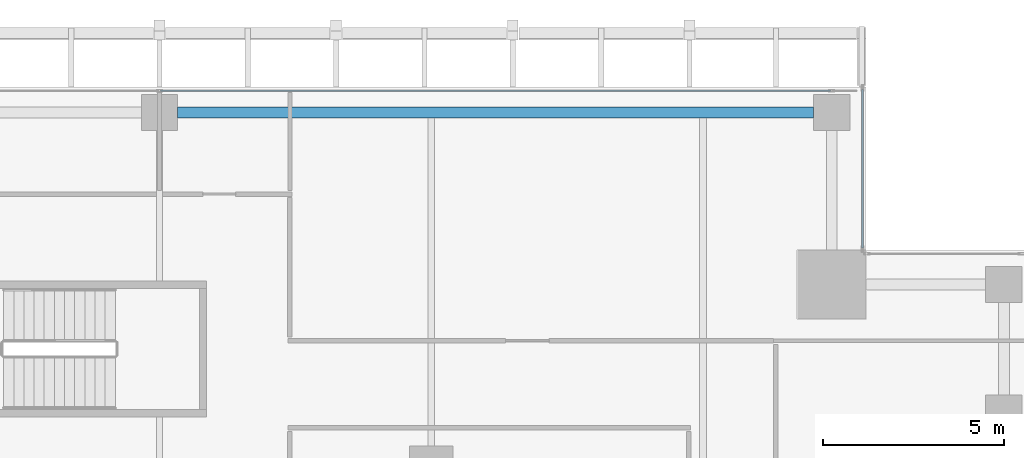
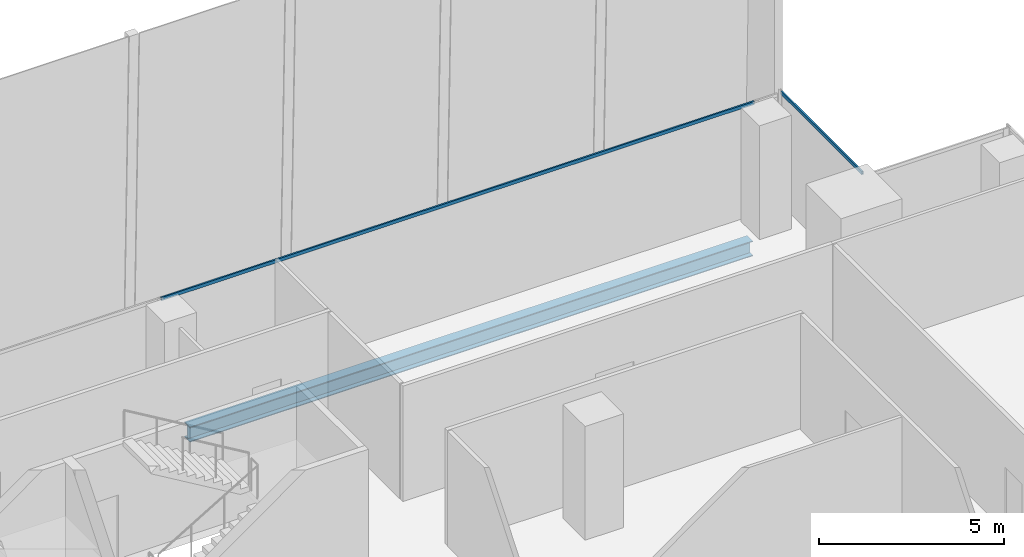
# One storey, part 20 of 35: 2 members, 1 beam, 2 elements without a shape of their own.
"""IFC4 building model written with IfcOpenShell, lengths in metres."""

from ifc_helpers import new_model, si_unit, direction, frame, origin, origin_2d, place, context, subcontext, project, spatial, hollow_rectangle, i_section, extrude, source, transform, mapped, material, material_profile, profile_set, type_object, element, aggregate, save


model = new_model("IFC4")

# Units and contexts
model_context = context("Model", 3, precision=1e-05, world=origin(), true_north=direction((0.0, 1.0)))
body_context = subcontext(model_context, "Body", "Model", "MODEL_VIEW")
ifc_project = project(units=[si_unit("LENGTHUNIT", "METRE"), si_unit("AREAUNIT", "SQUARE_METRE"), si_unit("VOLUMEUNIT", "CUBIC_METRE"), si_unit("PLANEANGLEUNIT", "RADIAN"), si_unit("MASSUNIT", "GRAM", prefix="KILO")], contexts=[model_context])

# Site, building, storey
site_placement = place(None, origin())
site = spatial("IfcSite", under=ifc_project, at=site_placement, CompositionType="ELEMENT")
building_placement = place(site_placement, origin())
building = spatial("IfcBuilding", under=site, at=building_placement, Name="Khomas Fold Tower", CompositionType="ELEMENT")
storey_placement = place(building_placement, frame((0.0, 0.0, 200.699951171875)))
storey = spatial("IfcBuildingStorey", under=building, at=storey_placement, Name="L44", CompositionType="ELEMENT", Elevation=200.699951171875)

# Beam
ifc_material_1 = material(Name="Steel S355", Category="steel")
ifc_material_profile_1 = material_profile(ifc_material_1, i_section(OverallWidth=0.300048828125, OverallDepth=0.5, WebThickness=0.014404296875, FlangeThickness=0.028076171875, at=origin_2d()), Name="HE 500 B")
ifc_profile_set_1 = profile_set([ifc_material_profile_1], Name="Steel S355")
beam_type = type_object("IfcBeamType", Name="HE 500 B spandrel SB3", PredefinedType="SPANDREL", material=ifc_profile_set_1)
shared_shape_1 = source(origin(), body_context, "Body", "SweptSolid", [
    extrude(i_section(OverallWidth=0.300048828125, OverallDepth=0.5, WebThickness=0.014404296875, FlangeThickness=0.028076171875, at=origin_2d()), origin(), (0.0, 0.0, 1.0), 17.550048828125),
])
beam_placement = place(storey_placement, frame((27.5, 50.300048828125, -0.5), z_axis=(1.0, 0.0, 0.0), x_axis=(0.0, 1.0, 0.0)))
element("IfcBeam", 1, at=beam_placement, inside=storey, type_object=beam_type, Name="SB3", PredefinedType="SPANDREL", context=body_context, shape_type="MappedRepresentation", body=[
    mapped(shared_shape_1, transform((0.0, 0.0, 0.0))),
])

# Curtain wall, member
ifc_material_2 = material(Name="Aluminium framed double glazing", Category="aluminium")
curtain_wall_type = type_object("IfcCurtainWallType", Name="SK-Unitised clear-glass wall, office floors CW2", PredefinedType="NOTDEFINED", material=ifc_material_2)
curtain_wall_1_placement = place(storey_placement, origin())
curtain_wall_1 = element("IfcCurtainWall", 2, at=curtain_wall_1_placement, inside=storey, type_object=curtain_wall_type, Name="CW2 corner return L44 05", PredefinedType="NOTDEFINED")
ifc_material_3 = material(Name="Aluminium", Category="aluminium")
ifc_material_profile_2 = material_profile(ifc_material_3, hollow_rectangle(XDim=0.050048828125, YDim=0.110107421875, WallThickness=0.00390625, at=origin_2d()), Name="SK-Unitised clear-glass wall, office floors transom CW2-T")
ifc_profile_set_2 = profile_set([ifc_material_profile_2], Name="Aluminium")
member_type = type_object("IfcMemberType", Name="SK-Unitised clear-glass wall, office floors transom CW2-T", PredefinedType="USERDEFINED", material=ifc_profile_set_2)
shared_shape_2 = source(origin(), body_context, "Body", "SweptSolid", [
    extrude(hollow_rectangle(XDim=0.050048828125, YDim=0.110107421875, WallThickness=0.00390625, at=origin_2d()), origin(), (0.0, 0.0, 1.0), 4.3798828125),
])
member_1_placement = place(storey_placement, frame((46.39990234375, 46.56005859375, 3.695068359375), z_axis=(0.0, 1.0, 0.0), x_axis=(-1.0, 0.0, 0.0)))
member_1 = element("IfcMember", 3, at=member_1_placement, type_object=member_type, Name="CW2 transom 1", ObjectType="TRANSOM", PredefinedType="USERDEFINED", context=body_context, shape_type="MappedRepresentation", body=[
    mapped(shared_shape_2, transform((0.0, 0.0, 0.0))),
])
aggregate(curtain_wall_1, [member_1])

curtain_wall_2_placement = place(storey_placement, origin())
curtain_wall_2 = element("IfcCurtainWall", 4, at=curtain_wall_2_placement, inside=storey, type_object=curtain_wall_type, Name="CW2 run L44 06-0", PredefinedType="NOTDEFINED")
shared_shape_3 = source(origin(), body_context, "Body", "SweptSolid", [
    extrude(hollow_rectangle(XDim=0.050048828125, YDim=0.110107421875, WallThickness=0.00390625, at=origin_2d()), origin(), (0.0, 0.0, 1.0), 18.489990234375),
])
member_2_placement = place(storey_placement, frame((45.52001953125, 50.89990234375, 3.695068359375), z_axis=(-1.0, 0.0, 0.0), x_axis=(0.0, -1.0, 0.0)))
member_2 = element("IfcMember", 5, at=member_2_placement, type_object=member_type, Name="CW2 transom 2", ObjectType="TRANSOM", PredefinedType="USERDEFINED", context=body_context, shape_type="MappedRepresentation", body=[
    mapped(shared_shape_3, transform((0.0, 0.0, 0.0))),
])
aggregate(curtain_wall_2, [member_2])

save(model, "model.ifc")
